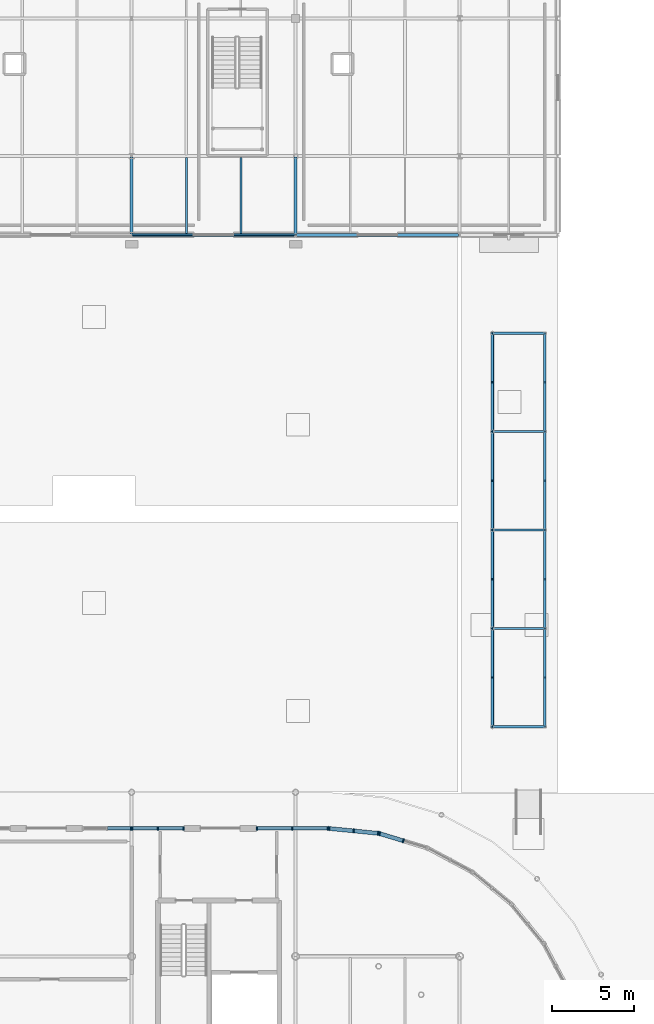
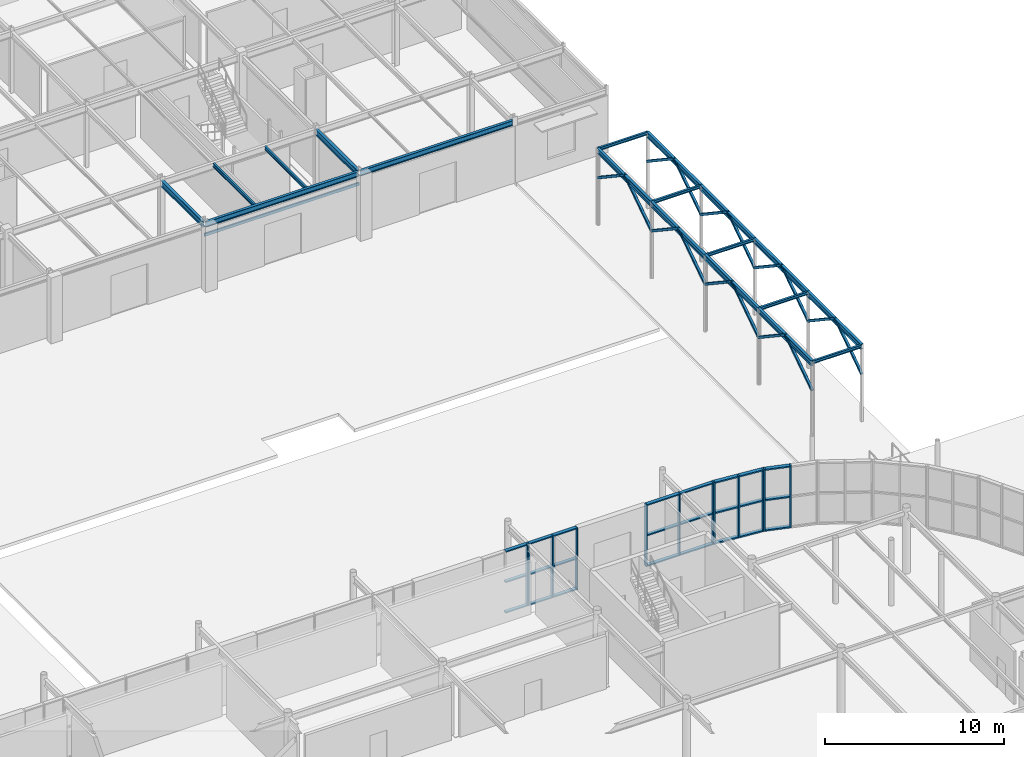
# One storey, part 71 of 119: 52 members, 20 beams, 5 elements without a shape of their own.
"""IFC4 building model written with IfcOpenShell, lengths in metres."""

from ifc_helpers import new_model, si_unit, derived_unit, direction, frame, origin, origin_2d_with_axis, place, context, subcontext, project, spatial, rectangle, hollow_rectangle, i_section, extrude, material, material_profile, profile_set, type_object, element, aggregate, save


model = new_model("IFC4")

# Units and contexts
model_context = context("Model", 3, precision=1e-05, world=origin(), true_north=direction((0.0, 1.0)))
body_context = subcontext(model_context, "Body", "Model", "MODEL_VIEW")
ifc_project = project(units=[si_unit("LENGTHUNIT", "METRE"), si_unit("AREAUNIT", "SQUARE_METRE"), si_unit("VOLUMEUNIT", "CUBIC_METRE"), si_unit("PLANEANGLEUNIT", "RADIAN"), si_unit("MASSUNIT", "GRAM", prefix="KILO"), derived_unit("THERMALTRANSMITTANCEUNIT", [(si_unit("POWERUNIT", "WATT"), 1), (si_unit("LENGTHUNIT", "METRE"), -2), (si_unit("THERMODYNAMICTEMPERATUREUNIT", "KELVIN"), -1)])], contexts=[model_context])

# Site, building, storey
site_placement = place(None, origin())
site = spatial("IfcSite", under=ifc_project, at=site_placement, CompositionType="ELEMENT")
building_placement = place(site_placement, origin())
building = spatial("IfcBuilding", under=site, at=building_placement, Name="Cinnabar Yard Market Hall", CompositionType="ELEMENT")
storey_placement = place(building_placement, origin())
storey = spatial("IfcBuildingStorey", under=building, at=storey_placement, Name="L00", CompositionType="ELEMENT", Elevation=0.0)

# Beams
ifc_material_1 = material(Name="Steel Grade 300 (300 MPa)", Category="steel")
ifc_material_profile_1 = material_profile(ifc_material_1, i_section(OverallWidth=0.177978515625, OverallDepth=0.406494140625, WebThickness=0.0078125, FlangeThickness=0.0126953125, FilletRadius=0.011474609375, at=origin_2d_with_axis()), Name="410UB59.7")
ifc_profile_set_1 = profile_set([ifc_material_profile_1], Name="Steel Grade 300 (300 MPa)")
beam_type_1 = type_object("IfcBeamType", Name="BM-B06", PredefinedType="BEAM", material=ifc_profile_set_1)
for number, where, z_axis, x_axis, name in (
    (1, (136.0, 108.06005859375, 4.036865234375), (0.0, 1.0, 0.0), (-1.0, 0.0, 0.0), "V3 L00 Girder Y 00937"),
    (2, (146.0, 108.06005859375, 4.036865234375), (0.0, 1.0, 0.0), (-1.0, 0.0, 0.0), "V3 L00 Girder Y 00941"),
):
    element("IfcBeam", number, at=place(storey_placement, frame(where, z_axis=z_axis, x_axis=x_axis)), inside=storey, type_object=beam_type_1, Name=name, PredefinedType="BEAM", context=body_context, shape_type="SweptSolid", body=[
        extrude(i_section(OverallWidth=0.177978515625, OverallDepth=0.406494140625, WebThickness=0.0078125, FlangeThickness=0.0126953125, FilletRadius=0.011474609375, at=origin_2d_with_axis()), origin(), (0.0, 0.0, 1.0), 4.679931640625),
    ])
ifc_material_profile_2 = material_profile(ifc_material_1, i_section(OverallWidth=0.172119140625, OverallDepth=0.358642578125, WebThickness=0.008056640625, FlangeThickness=0.012939453125, FilletRadius=0.011474609375, at=origin_2d_with_axis()), Name="360UB56.7")
ifc_profile_set_2 = profile_set([ifc_material_profile_2], Name="Steel Grade 300 (300 MPa)")
beam_type_2 = type_object("IfcBeamType", Name="BM-B07E", PredefinedType="BEAM", material=ifc_profile_set_2)
for number, where, z_axis, x_axis, name in (
    (3, (158.0, 78.0, 5.07080078125), (0.0, 1.0, 0.0), (-1.0, 0.0, 0.0), "East Riwaq Court Beam 01558"),
    (4, (161.199951171875, 78.0, 5.07080078125), (0.0, 1.0, 0.0), (-1.0, 0.0, 0.0), "East Riwaq Outer Beam 01559"),
    (5, (158.0, 84.0, 5.07080078125), (0.0, 1.0, 0.0), (-1.0, 0.0, 0.0), "East Riwaq Court Beam 01562"),
    (6, (161.199951171875, 84.0, 5.07080078125), (0.0, 1.0, 0.0), (-1.0, 0.0, 0.0), "East Riwaq Outer Beam 01563"),
    (7, (158.0, 90.0, 5.07080078125), (0.0, 1.0, 0.0), (-1.0, 0.0, 0.0), "East Riwaq Court Beam 01566"),
    (8, (161.199951171875, 90.0, 5.07080078125), (0.0, 1.0, 0.0), (-1.0, 0.0, 0.0), "East Riwaq Outer Beam 01567"),
    (9, (158.0, 96.0, 5.07080078125), (0.0, 1.0, 0.0), (-1.0, 0.0, 0.0), "East Riwaq Court Beam 01570"),
    (10, (161.199951171875, 96.0, 5.07080078125), (0.0, 1.0, 0.0), (-1.0, 0.0, 0.0), "East Riwaq Outer Beam 01571"),
):
    element("IfcBeam", number, at=place(storey_placement, frame(where, z_axis=z_axis, x_axis=x_axis)), inside=storey, type_object=beam_type_2, Name=name, PredefinedType="BEAM", context=body_context, shape_type="SweptSolid", body=[
        extrude(i_section(OverallWidth=0.172119140625, OverallDepth=0.358642578125, WebThickness=0.008056640625, FlangeThickness=0.012939453125, FilletRadius=0.011474609375, at=origin_2d_with_axis()), origin(), (0.0, 0.0, 1.0), 6.0),
    ])
ifc_material_profile_3 = material_profile(ifc_material_1, i_section(OverallWidth=0.134033203125, OverallDepth=0.20703125, WebThickness=0.00634765625, FlangeThickness=0.009521484375, FilletRadius=0.0087890625, at=origin_2d_with_axis()), Name="200UB29.8")
ifc_profile_set_3 = profile_set([ifc_material_profile_3], Name="Steel Grade 300 (300 MPa)")
beam_type_3 = type_object("IfcBeamType", Name="BM-J04E", PredefinedType="JOIST", material=ifc_profile_set_3)
for number, where, z_axis, x_axis, name in (
    (11, (158.0, 78.0, 5.146484375), (1.0, 0.0, 0.0), (0.0, 1.0, 0.0), "East Riwaq Tie 01573"),
    (12, (158.0, 84.0, 5.146484375), (1.0, 0.0, 0.0), (0.0, 1.0, 0.0), "East Riwaq Tie 01575"),
    (13, (158.0, 90.0, 5.146484375), (1.0, 0.0, 0.0), (0.0, 1.0, 0.0), "East Riwaq Tie 01577"),
    (14, (158.0, 96.0, 5.146484375), (1.0, 0.0, 0.0), (0.0, 1.0, 0.0), "East Riwaq Tie 01579"),
    (15, (158.0, 102.0, 5.146484375), (1.0, 0.0, 0.0), (0.0, 1.0, 0.0), "East Riwaq Tie 01581"),
):
    element("IfcBeam", number, at=place(storey_placement, frame(where, z_axis=z_axis, x_axis=x_axis)), inside=storey, type_object=beam_type_3, Name=name, PredefinedType="JOIST", context=body_context, shape_type="SweptSolid", body=[
        extrude(i_section(OverallWidth=0.134033203125, OverallDepth=0.20703125, WebThickness=0.00634765625, FlangeThickness=0.009521484375, FilletRadius=0.0087890625, at=origin_2d_with_axis()), origin(), (0.0, 0.0, 1.0), 3.199951171875),
    ])
ifc_material_profile_4 = material_profile(ifc_material_1, i_section(OverallWidth=0.1240234375, OverallDepth=0.248291015625, WebThickness=0.0048828125, FlangeThickness=0.008056640625, FilletRadius=0.0087890625, at=origin_2d_with_axis()), Name="250UB25.7")
ifc_profile_set_4 = profile_set([ifc_material_profile_4], Name="Steel Grade 300 (300 MPa)")
beam_type_4 = type_object("IfcBeamType", Name="BM-J06", PredefinedType="JOIST", material=ifc_profile_set_4)
for number, where, z_axis, x_axis, name in (
    (16, (139.333251953125, 108.074951171875, 4.11572265625), (0.0, 1.0, 0.0), (-1.0, 0.0, 0.0), "V3 L00 Joist 01004"),
    (17, (142.666748046875, 108.074951171875, 4.11572265625), (0.0, 1.0, 0.0), (-1.0, 0.0, 0.0), "V3 L00 Joist 01008"),
):
    element("IfcBeam", number, at=place(storey_placement, frame(where, z_axis=z_axis, x_axis=x_axis)), inside=storey, type_object=beam_type_4, Name=name, PredefinedType="JOIST", context=body_context, shape_type="SweptSolid", body=[
        extrude(i_section(OverallWidth=0.1240234375, OverallDepth=0.248291015625, WebThickness=0.0048828125, FlangeThickness=0.008056640625, FilletRadius=0.0087890625, at=origin_2d_with_axis()), origin(), (0.0, 0.0, 1.0), 4.650146484375),
    ])
ifc_material_2 = material(Name="Cold-formed steel C350L0", Category="steel")
ifc_material_profile_5 = material_profile(ifc_material_2, hollow_rectangle(XDim=0.10009765625, YDim=0.199951171875, WallThickness=0.006103515625, InnerFilletRadius=0.006103515625, OuterFilletRadius=0.011962890625, at=origin_2d_with_axis()), Name="200x100x6.0RHS")
ifc_profile_set_5 = profile_set([ifc_material_profile_5], Name="Cold-formed steel C350L0")
beam_type_5 = type_object("IfcBeamType", Name="BM-LN01E", PredefinedType="LINTEL", material=ifc_profile_set_5)
beam_placement = place(storey_placement, frame((136.0, 108.0, 3.35009765625), z_axis=(1.0, 0.0, 0.0), x_axis=(0.0, 1.0, 0.0)))
element("IfcBeam", 18, at=beam_placement, inside=storey, type_object=beam_type_5, Name="Portal Transom Lintel 6 01591", PredefinedType="LINTEL", context=body_context, shape_type="SweptSolid", body=[
    extrude(hollow_rectangle(XDim=0.10009765625, YDim=0.199951171875, WallThickness=0.006103515625, InnerFilletRadius=0.006103515625, OuterFilletRadius=0.011962890625, at=origin_2d_with_axis()), origin(), (0.0, 0.0, 1.0), 10.0),
])
ifc_material_profile_6 = material_profile(ifc_material_1, i_section(OverallWidth=0.172119140625, OverallDepth=0.358642578125, WebThickness=0.008056640625, FlangeThickness=0.012939453125, FilletRadius=0.011474609375, at=origin_2d_with_axis()), Name="360UB56.7")
ifc_profile_set_6 = profile_set([ifc_material_profile_6], Name="Steel Grade 300 (300 MPa)")
beam_type_6 = type_object("IfcBeamType", Name="BM-SP02E", PredefinedType="SPANDREL", material=ifc_profile_set_6)
for number, where, z_axis, x_axis, name in (
    (19, (136.06005859375, 108.0, 4.060791015625), (1.0, 0.0, 0.0), (0.0, 1.0, 0.0), "V3 L00 Girder X 00894"),
    (20, (146.06005859375, 108.0, 4.060791015625), (1.0, 0.0, 0.0), (0.0, 1.0, 0.0), "V3 L00 Girder X 00899"),
):
    element("IfcBeam", number, at=place(storey_placement, frame(where, z_axis=z_axis, x_axis=x_axis)), inside=storey, type_object=beam_type_6, Name=name, PredefinedType="SPANDREL", context=body_context, shape_type="SweptSolid", body=[
        extrude(i_section(OverallWidth=0.172119140625, OverallDepth=0.358642578125, WebThickness=0.008056640625, FlangeThickness=0.012939453125, FilletRadius=0.011474609375, at=origin_2d_with_axis()), origin(), (0.0, 0.0, 1.0), 9.8798828125),
    ])

# Curtain wall, members
ifc_material_3 = material(Name="Anodised bronze aluminium curved-chord facade", Category="aluminium")
curtain_wall_type_1 = type_object("IfcCurtainWallType", Name="CW-CWC031x42", PredefinedType="NOTDEFINED", material=ifc_material_3)
curtain_wall_1_placement = place(storey_placement, origin())
curtain_wall_1 = element("IfcCurtainWall", 21, at=curtain_wall_1_placement, inside=storey, type_object=curtain_wall_type_1, Name="Corner NE Chord 7 L00", PredefinedType="NOTDEFINED")
ifc_material_4 = material(Name="Anodised bronze aluminium", Category="aluminium")
ifc_material_profile_7 = material_profile(ifc_material_4, rectangle(XDim=0.239990234375, YDim=0.090087890625, at=origin_2d_with_axis()), Name="MUL-CWC")
ifc_profile_set_7 = profile_set([ifc_material_profile_7], Name="Anodised bronze aluminium")
member_type_1 = type_object("IfcMemberType", Name="CWM-CWC", PredefinedType="MULLION", material=ifc_profile_set_7)
member_1_placement = place(storey_placement, frame((152.564453125, 71.046875, 0.0), z_axis=(0.0, 0.0, 1.0), x_axis=(-0.290278891325, -0.956942090856, 0.0)))
member_1 = element("IfcMember", 22, at=member_1_placement, type_object=member_type_1, Name="CWC031x42 mullion 2", PredefinedType="MULLION", context=body_context, shape_type="SweptSolid", body=[
    extrude(rectangle(XDim=0.239990234375, YDim=0.090087890625, at=origin_2d_with_axis()), origin(), (0.0, 0.0, 1.0), 4.239990234375),
])
member_2_placement = place(storey_placement, frame((151.12548828125, 71.4833984375, 0.0), z_axis=(0.0, 0.0, 1.0), x_axis=(-0.290278891325, -0.956942090856, 0.0)))
member_2 = element("IfcMember", 23, at=member_2_placement, type_object=member_type_1, Name="CWC031x42 mullion 3", PredefinedType="MULLION", context=body_context, shape_type="SweptSolid", body=[
    extrude(rectangle(XDim=0.239990234375, YDim=0.090087890625, at=origin_2d_with_axis()), origin(), (0.0, 0.0, 1.0), 4.239990234375),
])

curtain_wall_2_placement = place(storey_placement, origin())
curtain_wall_2 = element("IfcCurtainWall", 24, at=curtain_wall_2_placement, inside=storey, type_object=curtain_wall_type_1, Name="Corner NE Chord 8 L00", PredefinedType="NOTDEFINED")
member_3_placement = place(storey_placement, frame((151.03759765625, 71.500732421875, 0.0), z_axis=(0.0, 0.0, 1.0), x_axis=(-0.098020369342, -0.995184408637, 0.0)))
member_3 = element("IfcMember", 25, at=member_3_placement, type_object=member_type_1, Name="CWC031x42 mullion 1", PredefinedType="MULLION", context=body_context, shape_type="SweptSolid", body=[
    extrude(rectangle(XDim=0.239990234375, YDim=0.090087890625, at=origin_2d_with_axis()), origin(), (0.0, 0.0, 1.0), 4.239990234375),
])
member_4_placement = place(storey_placement, frame((149.541259765625, 71.648193359375, 0.0), z_axis=(0.0, 0.0, 1.0), x_axis=(-0.098020369342, -0.995184408637, 0.0)))
member_4 = element("IfcMember", 26, at=member_4_placement, type_object=member_type_1, Name="CWC031x42 mullion 2", PredefinedType="MULLION", context=body_context, shape_type="SweptSolid", body=[
    extrude(rectangle(XDim=0.239990234375, YDim=0.090087890625, at=origin_2d_with_axis()), origin(), (0.0, 0.0, 1.0), 4.239990234375),
])
member_5_placement = place(storey_placement, frame((148.044677734375, 71.795654296875, 0.0), z_axis=(0.0, 0.0, 1.0), x_axis=(-0.098020369342, -0.995184408637, 0.0)))
member_5 = element("IfcMember", 27, at=member_5_placement, type_object=member_type_1, Name="CWC031x42 mullion 3", PredefinedType="MULLION", context=body_context, shape_type="SweptSolid", body=[
    extrude(rectangle(XDim=0.239990234375, YDim=0.090087890625, at=origin_2d_with_axis()), origin(), (0.0, 0.0, 1.0), 4.239990234375),
])

# Curtain wall, member
ifc_material_5 = material(Name="Anodised bronze aluminium and low-E glass", Category="aluminium")
curtain_wall_type_2 = type_object("IfcCurtainWallType", Name="CW-CWH030x42", PredefinedType="NOTDEFINED", material=ifc_material_5)
curtain_wall_3_placement = place(storey_placement, origin())
curtain_wall_3 = element("IfcCurtainWall", 28, at=curtain_wall_3_placement, inside=storey, type_object=curtain_wall_type_2, Name="Market Hall North Ground Glazing B5B", PredefinedType="NOTDEFINED")
ifc_material_profile_8 = material_profile(ifc_material_4, rectangle(XDim=0.219970703125, YDim=0.080078125, at=origin_2d_with_axis()), Name="MUL-CWH")
ifc_profile_set_8 = profile_set([ifc_material_profile_8], Name="Anodised bronze aluminium")
member_type_2 = type_object("IfcMemberType", Name="CWM-CWH", PredefinedType="MULLION", material=ifc_profile_set_8)
member_6_placement = place(storey_placement, frame((135.9599609375, 71.800048828125, 0.0), z_axis=(0.0, 0.0, 1.0), x_axis=(0.0, -1.0, 0.0)))
member_6 = element("IfcMember", 29, at=member_6_placement, type_object=member_type_2, Name="CWH030x42 mullion 1", PredefinedType="MULLION", context=body_context, shape_type="SweptSolid", body=[
    extrude(rectangle(XDim=0.219970703125, YDim=0.080078125, at=origin_2d_with_axis()), origin(), (0.0, 0.0, 1.0), 4.239990234375),
])

# Curtain wall, members
curtain_wall_type_3 = type_object("IfcCurtainWallType", Name="CW-CWH032x42", PredefinedType="NOTDEFINED", material=ifc_material_5)
curtain_wall_4_placement = place(storey_placement, origin())
curtain_wall_4 = element("IfcCurtainWall", 30, at=curtain_wall_4_placement, inside=storey, type_object=curtain_wall_type_3, Name="Market Hall North Ground Glazing B6A", PredefinedType="NOTDEFINED")
member_7_placement = place(storey_placement, frame((139.159912109375, 71.800048828125, 0.0), z_axis=(0.0, 0.0, 1.0), x_axis=(0.0, -1.0, 0.0)))
member_7 = element("IfcMember", 31, at=member_7_placement, type_object=member_type_2, Name="CWH032x42 mullion 1", PredefinedType="MULLION", context=body_context, shape_type="SweptSolid", body=[
    extrude(rectangle(XDim=0.219970703125, YDim=0.080078125, at=origin_2d_with_axis()), origin(), (0.0, 0.0, 1.0), 4.239990234375),
])
member_8_placement = place(storey_placement, frame((137.60009765625, 71.800048828125, 0.0), z_axis=(0.0, 0.0, 1.0), x_axis=(0.0, -1.0, 0.0)))
member_8 = element("IfcMember", 32, at=member_8_placement, type_object=member_type_2, Name="CWH032x42 mullion 2", PredefinedType="MULLION", context=body_context, shape_type="SweptSolid", body=[
    extrude(rectangle(XDim=0.219970703125, YDim=0.080078125, at=origin_2d_with_axis()), origin(), (0.0, 0.0, 1.0), 4.239990234375),
])
member_9_placement = place(storey_placement, frame((136.0400390625, 71.800048828125, 0.0), z_axis=(0.0, 0.0, 1.0), x_axis=(0.0, -1.0, 0.0)))
member_9 = element("IfcMember", 33, at=member_9_placement, type_object=member_type_2, Name="CWH032x42 mullion 3", PredefinedType="MULLION", context=body_context, shape_type="SweptSolid", body=[
    extrude(rectangle(XDim=0.219970703125, YDim=0.080078125, at=origin_2d_with_axis()), origin(), (0.0, 0.0, 1.0), 4.239990234375),
])

curtain_wall_type_4 = type_object("IfcCurtainWallType", Name="CW-CWH044x42", PredefinedType="NOTDEFINED", material=ifc_material_5)
curtain_wall_5_placement = place(storey_placement, origin())
curtain_wall_5 = element("IfcCurtainWall", 34, at=curtain_wall_5_placement, inside=storey, type_object=curtain_wall_type_4, Name="Market Hall North Ground Glazing B6B", PredefinedType="NOTDEFINED")
member_10_placement = place(storey_placement, frame((147.9599609375, 71.800048828125, 0.0), z_axis=(0.0, 0.0, 1.0), x_axis=(0.0, -1.0, 0.0)))
member_10 = element("IfcMember", 35, at=member_10_placement, type_object=member_type_2, Name="CWH044x42 mullion 1", PredefinedType="MULLION", context=body_context, shape_type="SweptSolid", body=[
    extrude(rectangle(XDim=0.219970703125, YDim=0.080078125, at=origin_2d_with_axis()), origin(), (0.0, 0.0, 1.0), 4.239990234375),
])
member_11_placement = place(storey_placement, frame((145.800048828125, 71.800048828125, 0.0), z_axis=(0.0, 0.0, 1.0), x_axis=(0.0, -1.0, 0.0)))
member_11 = element("IfcMember", 36, at=member_11_placement, type_object=member_type_2, Name="CWH044x42 mullion 2", PredefinedType="MULLION", context=body_context, shape_type="SweptSolid", body=[
    extrude(rectangle(XDim=0.219970703125, YDim=0.080078125, at=origin_2d_with_axis()), origin(), (0.0, 0.0, 1.0), 4.239990234375),
])
member_12_placement = place(storey_placement, frame((143.639892578125, 71.800048828125, 0.0), z_axis=(0.0, 0.0, 1.0), x_axis=(0.0, -1.0, 0.0)))
member_12 = element("IfcMember", 37, at=member_12_placement, type_object=member_type_2, Name="CWH044x42 mullion 3", PredefinedType="MULLION", context=body_context, shape_type="SweptSolid", body=[
    extrude(rectangle(XDim=0.219970703125, YDim=0.080078125, at=origin_2d_with_axis()), origin(), (0.0, 0.0, 1.0), 4.239990234375),
])

# Member
ifc_material_profile_9 = material_profile(ifc_material_4, rectangle(XDim=0.239990234375, YDim=0.090087890625, at=origin_2d_with_axis()), Name="TRN-CWC")
ifc_profile_set_9 = profile_set([ifc_material_profile_9], Name="Anodised bronze aluminium")
member_type_3 = type_object("IfcMemberType", Name="CWT-CWC", PredefinedType="USERDEFINED", material=ifc_profile_set_9)
member_13_placement = place(storey_placement, frame((152.521240234375, 71.059814453125, 0.044921875), z_axis=(-0.956932850279, 0.290309352341, 0.0), x_axis=(-0.290309352341, -0.956932850279, 0.0)))
member_13 = element("IfcMember", 38, at=member_13_placement, type_object=member_type_3, Name="CWC031x42 transom 2.1", ObjectType="TRANSOM", PredefinedType="USERDEFINED", context=body_context, shape_type="SweptSolid", body=[
    extrude(rectangle(XDim=0.239990234375, YDim=0.090087890625, at=origin_2d_with_axis()), origin(), (0.0, 0.0, 1.0), 1.41357421875),
])

member_14_placement = place(storey_placement, frame((152.521240234375, 71.059814453125, 2.1201171875), z_axis=(-0.956932850279, 0.290309352341, 0.0), x_axis=(-0.290309352341, -0.956932850279, 0.0)))
member_14 = element("IfcMember", 39, at=member_14_placement, type_object=member_type_3, Name="CWC031x42 transom 2.2", ObjectType="TRANSOM", PredefinedType="USERDEFINED", context=body_context, shape_type="SweptSolid", body=[
    extrude(rectangle(XDim=0.239990234375, YDim=0.090087890625, at=origin_2d_with_axis()), origin(), (0.0, 0.0, 1.0), 1.41357421875),
])

member_15_placement = place(storey_placement, frame((152.521240234375, 71.059814453125, 4.195068359375), z_axis=(-0.956932850279, 0.290309352341, 0.0), x_axis=(-0.290309352341, -0.956932850279, 0.0)))
member_15 = element("IfcMember", 40, at=member_15_placement, type_object=member_type_3, Name="CWC031x42 transom 2.3", ObjectType="TRANSOM", PredefinedType="USERDEFINED", context=body_context, shape_type="SweptSolid", body=[
    extrude(rectangle(XDim=0.239990234375, YDim=0.090087890625, at=origin_2d_with_axis()), origin(), (0.0, 0.0, 1.0), 1.41357421875),
])

aggregate(curtain_wall_1, [member_1, member_2, member_13, member_14, member_15])

member_16_placement = place(storey_placement, frame((150.992919921875, 71.505126953125, 0.044921875), z_axis=(-0.995178086946, 0.098084531214, 0.0), x_axis=(-0.098084531214, -0.995178086946, 0.0)))
member_16 = element("IfcMember", 41, at=member_16_placement, type_object=member_type_3, Name="CWC031x42 transom 1.1", ObjectType="TRANSOM", PredefinedType="USERDEFINED", context=body_context, shape_type="SweptSolid", body=[
    extrude(rectangle(XDim=0.239990234375, YDim=0.090087890625, at=origin_2d_with_axis()), origin(), (0.0, 0.0, 1.0), 1.413818359375),
])

member_17_placement = place(storey_placement, frame((150.992919921875, 71.505126953125, 2.1201171875), z_axis=(-0.995178086946, 0.098084531214, 0.0), x_axis=(-0.098084531214, -0.995178086946, 0.0)))
member_17 = element("IfcMember", 42, at=member_17_placement, type_object=member_type_3, Name="CWC031x42 transom 1.2", ObjectType="TRANSOM", PredefinedType="USERDEFINED", context=body_context, shape_type="SweptSolid", body=[
    extrude(rectangle(XDim=0.239990234375, YDim=0.090087890625, at=origin_2d_with_axis()), origin(), (0.0, 0.0, 1.0), 1.413818359375),
])

member_18_placement = place(storey_placement, frame((150.992919921875, 71.505126953125, 4.195068359375), z_axis=(-0.995178086946, 0.098084531214, 0.0), x_axis=(-0.098084531214, -0.995178086946, 0.0)))
member_18 = element("IfcMember", 43, at=member_18_placement, type_object=member_type_3, Name="CWC031x42 transom 1.3", ObjectType="TRANSOM", PredefinedType="USERDEFINED", context=body_context, shape_type="SweptSolid", body=[
    extrude(rectangle(XDim=0.239990234375, YDim=0.090087890625, at=origin_2d_with_axis()), origin(), (0.0, 0.0, 1.0), 1.413818359375),
])

member_19_placement = place(storey_placement, frame((149.496337890625, 71.652587890625, 0.044921875), z_axis=(-0.995176425197, 0.098101390058, 0.0), x_axis=(-0.098101390058, -0.995176425197, 0.0)))
member_19 = element("IfcMember", 44, at=member_19_placement, type_object=member_type_3, Name="CWC031x42 transom 2.1", ObjectType="TRANSOM", PredefinedType="USERDEFINED", context=body_context, shape_type="SweptSolid", body=[
    extrude(rectangle(XDim=0.239990234375, YDim=0.090087890625, at=origin_2d_with_axis()), origin(), (0.0, 0.0, 1.0), 1.41357421875),
])

member_20_placement = place(storey_placement, frame((149.496337890625, 71.652587890625, 2.1201171875), z_axis=(-0.995176425197, 0.098101390058, 0.0), x_axis=(-0.098101390058, -0.995176425197, 0.0)))
member_20 = element("IfcMember", 45, at=member_20_placement, type_object=member_type_3, Name="CWC031x42 transom 2.2", ObjectType="TRANSOM", PredefinedType="USERDEFINED", context=body_context, shape_type="SweptSolid", body=[
    extrude(rectangle(XDim=0.239990234375, YDim=0.090087890625, at=origin_2d_with_axis()), origin(), (0.0, 0.0, 1.0), 1.41357421875),
])

member_21_placement = place(storey_placement, frame((149.496337890625, 71.652587890625, 4.195068359375), z_axis=(-0.995176425197, 0.098101390058, 0.0), x_axis=(-0.098101390058, -0.995176425197, 0.0)))
member_21 = element("IfcMember", 46, at=member_21_placement, type_object=member_type_3, Name="CWC031x42 transom 2.3", ObjectType="TRANSOM", PredefinedType="USERDEFINED", context=body_context, shape_type="SweptSolid", body=[
    extrude(rectangle(XDim=0.239990234375, YDim=0.090087890625, at=origin_2d_with_axis()), origin(), (0.0, 0.0, 1.0), 1.41357421875),
])

aggregate(curtain_wall_2, [member_3, member_4, member_5, member_16, member_17, member_18, member_19, member_20, member_21])

ifc_material_profile_10 = material_profile(ifc_material_4, rectangle(XDim=0.219970703125, YDim=0.080078125, at=origin_2d_with_axis()), Name="TRN-CWH")
ifc_profile_set_10 = profile_set([ifc_material_profile_10], Name="Anodised bronze aluminium")
member_type_4 = type_object("IfcMemberType", Name="CWT-CWH", PredefinedType="USERDEFINED", material=ifc_profile_set_10)
member_22_placement = place(storey_placement, frame((135.919921875, 71.800048828125, 0.0400390625), z_axis=(-1.0, 0.0, 0.0), x_axis=(0.0, -1.0, 0.0)))
member_22 = element("IfcMember", 47, at=member_22_placement, type_object=member_type_4, Name="CWH030x42 transom 1.1", ObjectType="TRANSOM", PredefinedType="USERDEFINED", context=body_context, shape_type="SweptSolid", body=[
    extrude(rectangle(XDim=0.219970703125, YDim=0.080078125, at=origin_2d_with_axis()), origin(), (0.0, 0.0, 1.0), 1.3798828125),
])

member_23_placement = place(storey_placement, frame((135.919921875, 71.800048828125, 2.1201171875), z_axis=(-1.0, 0.0, 0.0), x_axis=(0.0, -1.0, 0.0)))
member_23 = element("IfcMember", 48, at=member_23_placement, type_object=member_type_4, Name="CWH030x42 transom 1.2", ObjectType="TRANSOM", PredefinedType="USERDEFINED", context=body_context, shape_type="SweptSolid", body=[
    extrude(rectangle(XDim=0.219970703125, YDim=0.080078125, at=origin_2d_with_axis()), origin(), (0.0, 0.0, 1.0), 1.3798828125),
])

member_24_placement = place(storey_placement, frame((135.919921875, 71.800048828125, 4.199951171875), z_axis=(-1.0, 0.0, 0.0), x_axis=(0.0, -1.0, 0.0)))
member_24 = element("IfcMember", 49, at=member_24_placement, type_object=member_type_4, Name="CWH030x42 transom 1.3", ObjectType="TRANSOM", PredefinedType="USERDEFINED", context=body_context, shape_type="SweptSolid", body=[
    extrude(rectangle(XDim=0.219970703125, YDim=0.080078125, at=origin_2d_with_axis()), origin(), (0.0, 0.0, 1.0), 1.3798828125),
])

aggregate(curtain_wall_3, [member_6, member_22, member_23, member_24])

member_25_placement = place(storey_placement, frame((139.1201171875, 71.800048828125, 0.0400390625), z_axis=(-1.0, 0.0, 0.0), x_axis=(0.0, -1.0, 0.0)))
member_25 = element("IfcMember", 50, at=member_25_placement, type_object=member_type_4, Name="CWH032x42 transom 1.1", ObjectType="TRANSOM", PredefinedType="USERDEFINED", context=body_context, shape_type="SweptSolid", body=[
    extrude(rectangle(XDim=0.219970703125, YDim=0.080078125, at=origin_2d_with_axis()), origin(), (0.0, 0.0, 1.0), 1.480224609375),
])

member_26_placement = place(storey_placement, frame((139.1201171875, 71.800048828125, 2.1201171875), z_axis=(-1.0, 0.0, 0.0), x_axis=(0.0, -1.0, 0.0)))
member_26 = element("IfcMember", 51, at=member_26_placement, type_object=member_type_4, Name="CWH032x42 transom 1.2", ObjectType="TRANSOM", PredefinedType="USERDEFINED", context=body_context, shape_type="SweptSolid", body=[
    extrude(rectangle(XDim=0.219970703125, YDim=0.080078125, at=origin_2d_with_axis()), origin(), (0.0, 0.0, 1.0), 1.480224609375),
])

member_27_placement = place(storey_placement, frame((139.1201171875, 71.800048828125, 4.199951171875), z_axis=(-1.0, 0.0, 0.0), x_axis=(0.0, -1.0, 0.0)))
member_27 = element("IfcMember", 52, at=member_27_placement, type_object=member_type_4, Name="CWH032x42 transom 1.3", ObjectType="TRANSOM", PredefinedType="USERDEFINED", context=body_context, shape_type="SweptSolid", body=[
    extrude(rectangle(XDim=0.219970703125, YDim=0.080078125, at=origin_2d_with_axis()), origin(), (0.0, 0.0, 1.0), 1.480224609375),
])

member_28_placement = place(storey_placement, frame((137.56005859375, 71.800048828125, 0.0400390625), z_axis=(-1.0, 0.0, 0.0), x_axis=(0.0, -1.0, 0.0)))
member_28 = element("IfcMember", 53, at=member_28_placement, type_object=member_type_4, Name="CWH032x42 transom 2.1", ObjectType="TRANSOM", PredefinedType="USERDEFINED", context=body_context, shape_type="SweptSolid", body=[
    extrude(rectangle(XDim=0.219970703125, YDim=0.080078125, at=origin_2d_with_axis()), origin(), (0.0, 0.0, 1.0), 1.47998046875),
])

member_29_placement = place(storey_placement, frame((137.56005859375, 71.800048828125, 2.1201171875), z_axis=(-1.0, 0.0, 0.0), x_axis=(0.0, -1.0, 0.0)))
member_29 = element("IfcMember", 54, at=member_29_placement, type_object=member_type_4, Name="CWH032x42 transom 2.2", ObjectType="TRANSOM", PredefinedType="USERDEFINED", context=body_context, shape_type="SweptSolid", body=[
    extrude(rectangle(XDim=0.219970703125, YDim=0.080078125, at=origin_2d_with_axis()), origin(), (0.0, 0.0, 1.0), 1.47998046875),
])

member_30_placement = place(storey_placement, frame((137.56005859375, 71.800048828125, 4.199951171875), z_axis=(-1.0, 0.0, 0.0), x_axis=(0.0, -1.0, 0.0)))
member_30 = element("IfcMember", 55, at=member_30_placement, type_object=member_type_4, Name="CWH032x42 transom 2.3", ObjectType="TRANSOM", PredefinedType="USERDEFINED", context=body_context, shape_type="SweptSolid", body=[
    extrude(rectangle(XDim=0.219970703125, YDim=0.080078125, at=origin_2d_with_axis()), origin(), (0.0, 0.0, 1.0), 1.47998046875),
])

aggregate(curtain_wall_4, [member_7, member_8, member_9, member_25, member_26, member_27, member_28, member_29, member_30])

member_31_placement = place(storey_placement, frame((147.919921875, 71.800048828125, 0.0400390625), z_axis=(-1.0, 0.0, 0.0), x_axis=(0.0, -1.0, 0.0)))
member_31 = element("IfcMember", 56, at=member_31_placement, type_object=member_type_4, Name="CWH044x42 transom 1.1", ObjectType="TRANSOM", PredefinedType="USERDEFINED", context=body_context, shape_type="SweptSolid", body=[
    extrude(rectangle(XDim=0.219970703125, YDim=0.080078125, at=origin_2d_with_axis()), origin(), (0.0, 0.0, 1.0), 2.079833984375),
])

member_32_placement = place(storey_placement, frame((147.919921875, 71.800048828125, 2.1201171875), z_axis=(-1.0, 0.0, 0.0), x_axis=(0.0, -1.0, 0.0)))
member_32 = element("IfcMember", 57, at=member_32_placement, type_object=member_type_4, Name="CWH044x42 transom 1.2", ObjectType="TRANSOM", PredefinedType="USERDEFINED", context=body_context, shape_type="SweptSolid", body=[
    extrude(rectangle(XDim=0.219970703125, YDim=0.080078125, at=origin_2d_with_axis()), origin(), (0.0, 0.0, 1.0), 2.079833984375),
])

member_33_placement = place(storey_placement, frame((147.919921875, 71.800048828125, 4.199951171875), z_axis=(-1.0, 0.0, 0.0), x_axis=(0.0, -1.0, 0.0)))
member_33 = element("IfcMember", 58, at=member_33_placement, type_object=member_type_4, Name="CWH044x42 transom 1.3", ObjectType="TRANSOM", PredefinedType="USERDEFINED", context=body_context, shape_type="SweptSolid", body=[
    extrude(rectangle(XDim=0.219970703125, YDim=0.080078125, at=origin_2d_with_axis()), origin(), (0.0, 0.0, 1.0), 2.079833984375),
])

member_34_placement = place(storey_placement, frame((145.760009765625, 71.800048828125, 0.0400390625), z_axis=(-1.0, 0.0, 0.0), x_axis=(0.0, -1.0, 0.0)))
member_34 = element("IfcMember", 59, at=member_34_placement, type_object=member_type_4, Name="CWH044x42 transom 2.1", ObjectType="TRANSOM", PredefinedType="USERDEFINED", context=body_context, shape_type="SweptSolid", body=[
    extrude(rectangle(XDim=0.219970703125, YDim=0.080078125, at=origin_2d_with_axis()), origin(), (0.0, 0.0, 1.0), 2.080078125),
])

member_35_placement = place(storey_placement, frame((145.760009765625, 71.800048828125, 2.1201171875), z_axis=(-1.0, 0.0, 0.0), x_axis=(0.0, -1.0, 0.0)))
member_35 = element("IfcMember", 60, at=member_35_placement, type_object=member_type_4, Name="CWH044x42 transom 2.2", ObjectType="TRANSOM", PredefinedType="USERDEFINED", context=body_context, shape_type="SweptSolid", body=[
    extrude(rectangle(XDim=0.219970703125, YDim=0.080078125, at=origin_2d_with_axis()), origin(), (0.0, 0.0, 1.0), 2.080078125),
])

member_36_placement = place(storey_placement, frame((145.760009765625, 71.800048828125, 4.199951171875), z_axis=(-1.0, 0.0, 0.0), x_axis=(0.0, -1.0, 0.0)))
member_36 = element("IfcMember", 61, at=member_36_placement, type_object=member_type_4, Name="CWH044x42 transom 2.3", ObjectType="TRANSOM", PredefinedType="USERDEFINED", context=body_context, shape_type="SweptSolid", body=[
    extrude(rectangle(XDim=0.219970703125, YDim=0.080078125, at=origin_2d_with_axis()), origin(), (0.0, 0.0, 1.0), 2.080078125),
])

aggregate(curtain_wall_5, [member_10, member_11, member_12, member_31, member_32, member_33, member_34, member_35, member_36])

# Members
ifc_material_6 = material(Name="Spotted-gum glulam-clad steel Grade 350 (350 MPa)", Category="steel")
ifc_material_profile_11 = material_profile(ifc_material_6, hollow_rectangle(XDim=0.14990234375, YDim=0.14990234375, WallThickness=0.006103515625, InnerFilletRadius=0.006103515625, OuterFilletRadius=0.011962890625, at=origin_2d_with_axis()), Name="150x150x6.0SHS")
ifc_profile_set_11 = profile_set([ifc_material_profile_11], Name="Spotted-gum glulam-clad steel Grade 350 (350 MPa)")
member_type_5 = type_object("IfcMemberType", Name="MB-AR02E", PredefinedType="USERDEFINED", material=ifc_profile_set_11)
for number, where, z_axis, x_axis, name in (
    (62, (158.0, 78.0, 3.199951171875), (0.0, 0.832050294338, 0.554700196225), (-1.0, 0.0, 0.0), "Riwaq Pointed Arch E1 1A"),
    (63, (158.0, 84.0, 3.199951171875), (0.0, -0.832050294338, 0.554700196225), (1.0, 0.0, 0.0), "Riwaq Pointed Arch E1 1B"),
    (64, (161.199951171875, 78.0, 3.199951171875), (0.0, 0.832050294338, 0.554700196225), (-1.0, 0.0, 0.0), "Riwaq Pointed Arch E2 1A"),
    (65, (161.199951171875, 84.0, 3.199951171875), (0.0, -0.832050294338, 0.554700196225), (1.0, 0.0, 0.0), "Riwaq Pointed Arch E2 1B"),
    (66, (158.0, 84.0, 3.199951171875), (0.0, 0.832050294338, 0.554700196225), (-1.0, 0.0, 0.0), "Riwaq Pointed Arch E1 2A"),
    (67, (158.0, 90.0, 3.199951171875), (0.0, -0.832050294338, 0.554700196225), (1.0, 0.0, 0.0), "Riwaq Pointed Arch E1 2B"),
    (68, (161.199951171875, 84.0, 3.199951171875), (0.0, 0.832050294338, 0.554700196225), (-1.0, 0.0, 0.0), "Riwaq Pointed Arch E2 2A"),
    (69, (161.199951171875, 90.0, 3.199951171875), (0.0, -0.832050294338, 0.554700196225), (1.0, 0.0, 0.0), "Riwaq Pointed Arch E2 2B"),
    (70, (158.0, 90.0, 3.199951171875), (0.0, 0.832050294338, 0.554700196225), (-1.0, 0.0, 0.0), "Riwaq Pointed Arch E1 3A"),
    (71, (158.0, 96.0, 3.199951171875), (0.0, -0.832050294338, 0.554700196225), (1.0, 0.0, 0.0), "Riwaq Pointed Arch E1 3B"),
    (72, (161.199951171875, 90.0, 3.199951171875), (0.0, 0.832050294338, 0.554700196225), (-1.0, 0.0, 0.0), "Riwaq Pointed Arch E2 3A"),
    (73, (161.199951171875, 96.0, 3.199951171875), (0.0, -0.832050294338, 0.554700196225), (1.0, 0.0, 0.0), "Riwaq Pointed Arch E2 3B"),
    (74, (158.0, 96.0, 3.199951171875), (0.0, 0.832050294338, 0.554700196225), (-1.0, 0.0, 0.0), "Riwaq Pointed Arch E1 4A"),
    (75, (158.0, 102.0, 3.199951171875), (0.0, -0.832050294338, 0.554700196225), (1.0, 0.0, 0.0), "Riwaq Pointed Arch E1 4B"),
    (76, (161.199951171875, 96.0, 3.199951171875), (0.0, 0.832050294338, 0.554700196225), (-1.0, 0.0, 0.0), "Riwaq Pointed Arch E2 4A"),
    (77, (161.199951171875, 102.0, 3.199951171875), (0.0, -0.832050294338, 0.554700196225), (1.0, 0.0, 0.0), "Riwaq Pointed Arch E2 4B"),
):
    element("IfcMember", number, at=place(storey_placement, frame(where, z_axis=z_axis, x_axis=x_axis)), inside=storey, type_object=member_type_5, Name=name, ObjectType="ARCH RIB", PredefinedType="USERDEFINED", context=body_context, shape_type="SweptSolid", body=[
        extrude(hollow_rectangle(XDim=0.14990234375, YDim=0.14990234375, WallThickness=0.006103515625, InnerFilletRadius=0.006103515625, OuterFilletRadius=0.011962890625, at=origin_2d_with_axis()), origin(), (0.0, 0.0, 1.0), 3.60546875),
    ])

save(model, "model.ifc")
